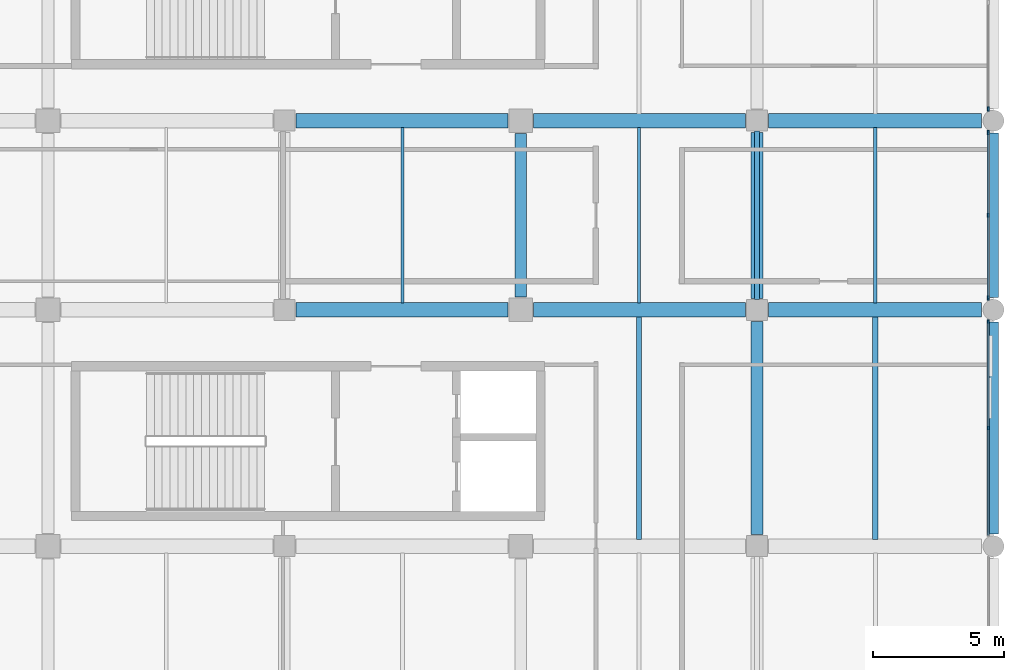
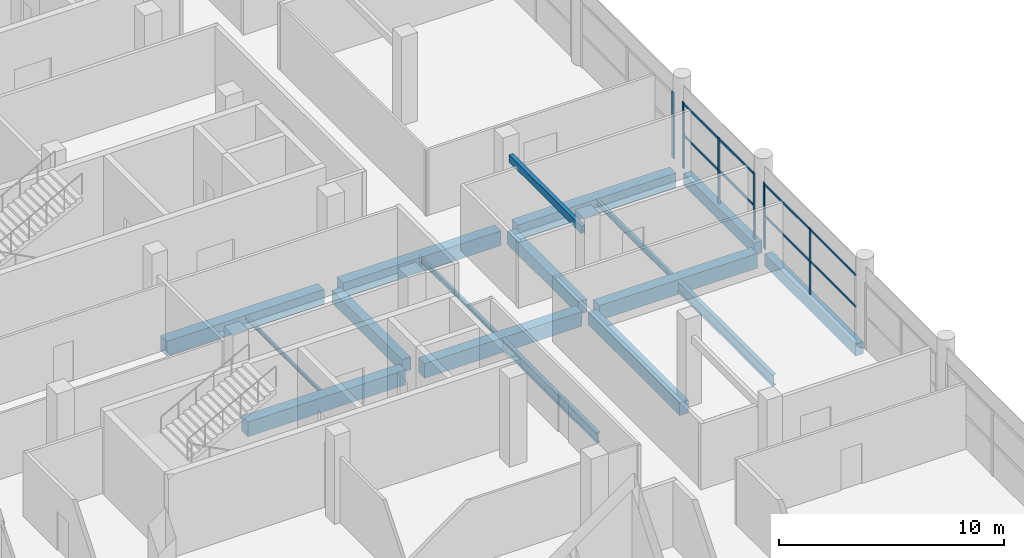
# One storey, part 38 of 111: 16 beams, 11 members, 3 elements without a shape of their own.
"""IFC4 building model written with IfcOpenShell, lengths in metres."""

from ifc_helpers import new_model, si_unit, direction, frame, origin, origin_2d, place, context, subcontext, project, spatial, rectangle, hollow_rectangle, i_section, extrude, material, material_profile, profile_set, type_object, element, aggregate, save


model = new_model("IFC4")

# Units and contexts
model_context = context("Model", 3, precision=1e-05, world=origin(), true_north=direction((0.0, 1.0)))
body_context = subcontext(model_context, "Body", "Model", "MODEL_VIEW")
ifc_project = project(units=[si_unit("LENGTHUNIT", "METRE"), si_unit("AREAUNIT", "SQUARE_METRE"), si_unit("VOLUMEUNIT", "CUBIC_METRE"), si_unit("PLANEANGLEUNIT", "RADIAN"), si_unit("MASSUNIT", "GRAM", prefix="KILO"), si_unit("THERMODYNAMICTEMPERATUREUNIT", "KELVIN"), si_unit("POWERUNIT", "WATT")], contexts=[model_context])

# Site, building, storey
site_placement = place(None, origin())
site = spatial("IfcSite", under=ifc_project, at=site_placement, CompositionType="ELEMENT")
building_placement = place(site_placement, origin())
building = spatial("IfcBuilding", under=site, at=building_placement, Name="Sindhuravela Promenade Stadium", CompositionType="ELEMENT")
storey_placement = place(building_placement, frame((0.0, 0.0, 9.60009765625)))
storey = spatial("IfcBuildingStorey", under=building, at=storey_placement, Name="L02", CompositionType="ELEMENT", Elevation=9.60009765625)

# Curtain wall, member
ifc_material_1 = material(Name="Anodised architectural aluminium 6063-T6", Category="aluminium")
curtain_wall_type_1 = type_object("IfcCurtainWallType", Name="CW-MOD-7", PredefinedType="NOTDEFINED", material=ifc_material_1)
curtain_wall_1_placement = place(storey_placement, origin())
curtain_wall_1 = element("IfcCurtainWall", 1, at=curtain_wall_1_placement, inside=storey, type_object=curtain_wall_type_1, Name="Bronze curtain wall CW-EAST-L02-110", PredefinedType="NOTDEFINED")
ifc_material_profile_1 = material_profile(ifc_material_1, rectangle(XDim=0.06005859375, YDim=0.179931640625, at=origin_2d()), Name="ALU M60x180")
ifc_profile_set_1 = profile_set([ifc_material_profile_1], Name="Anodised architectural aluminium 6063-T6")
member_type_1 = type_object("IfcMemberType", Name="CW-MUL-3", PredefinedType="MULLION", material=ifc_profile_set_1)
member_1_placement = place(storey_placement, frame((215.800048828125, 85.050048828125, 0.0), z_axis=(0.0, 0.0, 1.0), x_axis=(1.0, 0.0, 0.0)))
member_1 = element("IfcMember", 2, at=member_1_placement, type_object=member_type_1, Name="Curtain wall mullion CW-EAST-L02-110-M3", PredefinedType="MULLION", context=body_context, shape_type="SweptSolid", body=[
    extrude(rectangle(XDim=0.06005859375, YDim=0.179931640625, at=origin_2d()), origin(), (0.0, 0.0, 1.0), 3.579833984375),
])
aggregate(curtain_wall_1, [member_1])

# Curtain wall, members
curtain_wall_type_2 = type_object("IfcCurtainWallType", Name="CW-MOD-8", PredefinedType="NOTDEFINED", material=ifc_material_1)
curtain_wall_2_placement = place(storey_placement, origin())
curtain_wall_2 = element("IfcCurtainWall", 3, at=curtain_wall_2_placement, inside=storey, type_object=curtain_wall_type_2, Name="Bronze curtain wall CW-EAST-L02-111", PredefinedType="NOTDEFINED")
ifc_material_profile_2 = material_profile(ifc_material_1, rectangle(XDim=0.06005859375, YDim=0.159912109375, at=origin_2d()), Name="ALU M60x160")
ifc_profile_set_2 = profile_set([ifc_material_profile_2], Name="Anodised architectural aluminium 6063-T6")
member_type_2 = type_object("IfcMemberType", Name="CW-MUL-4", PredefinedType="MULLION", material=ifc_profile_set_2)
member_2_placement = place(storey_placement, frame((215.800048828125, 84.14990234375, 0.0), z_axis=(0.0, 0.0, 1.0), x_axis=(1.0, 0.0, 0.0)))
member_2 = element("IfcMember", 4, at=member_2_placement, type_object=member_type_2, Name="Curtain wall mullion CW-EAST-L02-111-M1", PredefinedType="MULLION", context=body_context, shape_type="SweptSolid", body=[
    extrude(rectangle(XDim=0.06005859375, YDim=0.159912109375, at=origin_2d()), origin(), (0.0, 0.0, 1.0), 3.579833984375),
])
member_3_placement = place(storey_placement, frame((215.800048828125, 81.0, 0.0), z_axis=(0.0, 0.0, 1.0), x_axis=(1.0, 0.0, 0.0)))
member_3 = element("IfcMember", 5, at=member_3_placement, type_object=member_type_2, Name="Curtain wall mullion CW-EAST-L02-111-M2", PredefinedType="MULLION", context=body_context, shape_type="SweptSolid", body=[
    extrude(rectangle(XDim=0.06005859375, YDim=0.159912109375, at=origin_2d()), origin(), (0.0, 0.0, 1.0), 3.579833984375),
])
member_4_placement = place(storey_placement, frame((215.800048828125, 77.85009765625, 0.0), z_axis=(0.0, 0.0, 1.0), x_axis=(1.0, 0.0, 0.0)))
member_4 = element("IfcMember", 6, at=member_4_placement, type_object=member_type_2, Name="Curtain wall mullion CW-EAST-L02-111-M3", PredefinedType="MULLION", context=body_context, shape_type="SweptSolid", body=[
    extrude(rectangle(XDim=0.06005859375, YDim=0.159912109375, at=origin_2d()), origin(), (0.0, 0.0, 1.0), 3.579833984375),
])

curtain_wall_type_3 = type_object("IfcCurtainWallType", Name="CW-MOD-1", PredefinedType="NOTDEFINED", material=ifc_material_1)
curtain_wall_3_placement = place(storey_placement, origin())
curtain_wall_3 = element("IfcCurtainWall", 7, at=curtain_wall_3_placement, inside=storey, type_object=curtain_wall_type_3, Name="Bronze curtain wall CW-EAST-L02-112", PredefinedType="NOTDEFINED")
ifc_material_profile_3 = material_profile(ifc_material_1, rectangle(XDim=0.06005859375, YDim=0.139892578125, at=origin_2d()), Name="ALU M60x140")
ifc_profile_set_3 = profile_set([ifc_material_profile_3], Name="Anodised architectural aluminium 6063-T6")
member_type_3 = type_object("IfcMemberType", Name="CW-MUL-5", PredefinedType="MULLION", material=ifc_profile_set_3)
member_5_placement = place(storey_placement, frame((215.800048828125, 76.949951171875, 0.0), z_axis=(0.0, 0.0, 1.0), x_axis=(1.0, 0.0, 0.0)))
member_5 = element("IfcMember", 8, at=member_5_placement, type_object=member_type_3, Name="Curtain wall mullion CW-EAST-L02-112-M1", PredefinedType="MULLION", context=body_context, shape_type="SweptSolid", body=[
    extrude(rectangle(XDim=0.06005859375, YDim=0.139892578125, at=origin_2d()), origin(), (0.0, 0.0, 1.0), 3.579833984375),
])
member_6_placement = place(storey_placement, frame((215.800048828125, 72.89990234375, 0.0), z_axis=(0.0, 0.0, 1.0), x_axis=(1.0, 0.0, 0.0)))
member_6 = element("IfcMember", 9, at=member_6_placement, type_object=member_type_3, Name="Curtain wall mullion CW-EAST-L02-112-M2", PredefinedType="MULLION", context=body_context, shape_type="SweptSolid", body=[
    extrude(rectangle(XDim=0.06005859375, YDim=0.139892578125, at=origin_2d()), origin(), (0.0, 0.0, 1.0), 3.579833984375),
])

# Member
ifc_material_profile_4 = material_profile(ifc_material_1, rectangle(XDim=0.06005859375, YDim=0.1201171875, at=origin_2d()), Name="ALU T60x120")
ifc_profile_set_4 = profile_set([ifc_material_profile_4], Name="Anodised architectural aluminium 6063-T6")
member_type_4 = type_object("IfcMemberType", Name="CW-TRN-4", PredefinedType="USERDEFINED", material=ifc_profile_set_4)
member_7_placement = place(storey_placement, frame((215.800048828125, 84.175048828125, 1.789794921875), z_axis=(0.0, -1.0, 0.0), x_axis=(1.0, 0.0, 0.0)))
member_7 = element("IfcMember", 10, at=member_7_placement, type_object=member_type_4, Name="Curtain wall transom CW-EAST-L02-111-T1", ObjectType="TRANSOM", PredefinedType="USERDEFINED", context=body_context, shape_type="SweptSolid", body=[
    extrude(rectangle(XDim=0.06005859375, YDim=0.1201171875, at=origin_2d()), origin(), (0.0, 0.0, 1.0), 6.35009765625),
])

member_8_placement = place(storey_placement, frame((215.800048828125, 84.175048828125, 3.5), z_axis=(0.0, -1.0, 0.0), x_axis=(1.0, 0.0, 0.0)))
member_8 = element("IfcMember", 11, at=member_8_placement, type_object=member_type_4, Name="Curtain wall transom CW-EAST-L02-111-T2", ObjectType="TRANSOM", PredefinedType="USERDEFINED", context=body_context, shape_type="SweptSolid", body=[
    extrude(rectangle(XDim=0.06005859375, YDim=0.1201171875, at=origin_2d()), origin(), (0.0, 0.0, 1.0), 6.35009765625),
])

aggregate(curtain_wall_2, [member_2, member_3, member_4, member_7, member_8])

ifc_material_profile_5 = material_profile(ifc_material_1, rectangle(XDim=0.06005859375, YDim=0.110107421875, at=origin_2d()), Name="ALU T60x110")
ifc_profile_set_5 = profile_set([ifc_material_profile_5], Name="Anodised architectural aluminium 6063-T6")
member_type_5 = type_object("IfcMemberType", Name="CW-TRN-5", PredefinedType="USERDEFINED", material=ifc_profile_set_5)
member_9_placement = place(storey_placement, frame((215.800048828125, 76.97509765625, 1.789794921875), z_axis=(0.0, -1.0, 0.0), x_axis=(1.0, 0.0, 0.0)))
member_9 = element("IfcMember", 12, at=member_9_placement, type_object=member_type_5, Name="Curtain wall transom CW-EAST-L02-112-T1", ObjectType="TRANSOM", PredefinedType="USERDEFINED", context=body_context, shape_type="SweptSolid", body=[
    extrude(rectangle(XDim=0.06005859375, YDim=0.110107421875, at=origin_2d()), origin(), (0.0, 0.0, 1.0), 8.150146484375),
])

member_10_placement = place(storey_placement, frame((215.800048828125, 76.97509765625, 3.5), z_axis=(0.0, -1.0, 0.0), x_axis=(1.0, 0.0, 0.0)))
member_10 = element("IfcMember", 13, at=member_10_placement, type_object=member_type_5, Name="Curtain wall transom CW-EAST-L02-112-T2", ObjectType="TRANSOM", PredefinedType="USERDEFINED", context=body_context, shape_type="SweptSolid", body=[
    extrude(rectangle(XDim=0.06005859375, YDim=0.110107421875, at=origin_2d()), origin(), (0.0, 0.0, 1.0), 8.150146484375),
])

aggregate(curtain_wall_3, [member_5, member_6, member_9, member_10])

# Beams
ifc_material_2 = material(Name="Concrete M40", Category="concrete")
ifc_material_profile_6 = material_profile(ifc_material_2, rectangle(XDim=0.39990234375, YDim=0.64990234375, at=origin_2d()), Name="RC 400x650")
ifc_profile_set_6 = profile_set([ifc_material_profile_6], Name="Concrete M40")
beam_type_1 = type_object("IfcBeamType", Name="RC-BM-400x650", PredefinedType="SPANDREL", material=ifc_profile_set_6)
beam_1_placement = place(storey_placement, frame((216.0, 68.864990234375, -0.60498046875), z_axis=(0.0, 1.0, 0.0), x_axis=(-1.0, 0.0, 0.0)))
element("IfcBeam", 14, at=beam_1_placement, inside=storey, type_object=beam_type_1, Name="Primary beam SP01 EAST L02", PredefinedType="SPANDREL", context=body_context, shape_type="SweptSolid", body=[
    extrude(rectangle(XDim=0.39990234375, YDim=0.64990234375, at=origin_2d()), origin(), (0.0, 0.0, 1.0), 8.070068359375),
])
beam_2_placement = place(storey_placement, frame((216.0, 77.864990234375, -0.60498046875), z_axis=(0.0, 1.0, 0.0), x_axis=(-1.0, 0.0, 0.0)))
element("IfcBeam", 15, at=beam_2_placement, inside=storey, type_object=beam_type_1, Name="Primary beam SP01 EAST L02", PredefinedType="SPANDREL", context=body_context, shape_type="SweptSolid", body=[
    extrude(rectangle(XDim=0.39990234375, YDim=0.64990234375, at=origin_2d()), origin(), (0.0, 0.0, 1.0), 6.27001953125),
])
ifc_material_profile_7 = material_profile(ifc_material_2, rectangle(XDim=0.449951171875, YDim=0.699951171875, at=origin_2d()), Name="RC 450x700")
ifc_profile_set_7 = profile_set([ifc_material_profile_7], Name="Concrete M40")
beam_type_2 = type_object("IfcBeamType", Name="RC-BM-450x700", PredefinedType="BEAM", material=ifc_profile_set_7)
beam_3_placement = place(storey_placement, frame((198.0, 77.889892578125, -0.630126953125), z_axis=(0.0, 1.0, 0.0), x_axis=(-1.0, 0.0, 0.0)))
element("IfcBeam", 16, at=beam_3_placement, inside=storey, type_object=beam_type_2, Name="Primary beam GB07 EAST L02", PredefinedType="BEAM", context=body_context, shape_type="SweptSolid", body=[
    extrude(rectangle(XDim=0.449951171875, YDim=0.699951171875, at=origin_2d()), origin(), (0.0, 0.0, 1.0), 6.22021484375),
])
beam_4_placement = place(storey_placement, frame((207.0, 68.840087890625, -0.630126953125), z_axis=(0.0, 1.0, 0.0), x_axis=(-1.0, 0.0, 0.0)))
element("IfcBeam", 17, at=beam_4_placement, inside=storey, type_object=beam_type_2, Name="Primary beam GB07 EAST L02", PredefinedType="BEAM", context=body_context, shape_type="SweptSolid", body=[
    extrude(rectangle(XDim=0.449951171875, YDim=0.699951171875, at=origin_2d()), origin(), (0.0, 0.0, 1.0), 8.119873046875),
])
beam_5_placement = place(storey_placement, frame((207.0, 77.840087890625, -0.630126953125), z_axis=(0.0, 1.0, 0.0), x_axis=(-1.0, 0.0, 0.0)))
element("IfcBeam", 18, at=beam_5_placement, inside=storey, type_object=beam_type_2, Name="Primary beam GB07 EAST L02", PredefinedType="BEAM", context=body_context, shape_type="SweptSolid", body=[
    extrude(rectangle(XDim=0.449951171875, YDim=0.699951171875, at=origin_2d()), origin(), (0.0, 0.0, 1.0), 6.31982421875),
])
ifc_material_profile_8 = material_profile(ifc_material_2, rectangle(XDim=0.550048828125, YDim=0.800048828125, at=origin_2d()), Name="RC 550x800")
ifc_profile_set_8 = profile_set([ifc_material_profile_8], Name="Concrete M40")
beam_type_3 = type_object("IfcBeamType", Name="RC-BM-550x800", PredefinedType="BEAM", material=ifc_profile_set_8)
for number, where, z_axis, x_axis, name in (
    (19, (189.43994140625, 77.39990234375, -0.68017578125), (1.0, 0.0, 0.0), (0.0, 1.0, 0.0), "Primary girder GB05 EAST L02"),
    (20, (198.489990234375, 77.39990234375, -0.68017578125), (1.0, 0.0, 0.0), (0.0, 1.0, 0.0), "Primary girder GB05 EAST L02"),
):
    element("IfcBeam", number, at=place(storey_placement, frame(where, z_axis=z_axis, x_axis=x_axis)), inside=storey, type_object=beam_type_3, Name=name, PredefinedType="BEAM", context=body_context, shape_type="SweptSolid", body=[
        extrude(rectangle(XDim=0.550048828125, YDim=0.800048828125, at=origin_2d()), origin(), (0.0, 0.0, 1.0), 8.070068359375),
    ])
beam_6_placement = place(storey_placement, frame((207.43994140625, 77.39990234375, -0.68017578125), z_axis=(1.0, 0.0, 0.0), x_axis=(0.0, 1.0, 0.0)))
element("IfcBeam", 21, at=beam_6_placement, inside=storey, type_object=beam_type_3, Name="Primary girder GB05 EAST L02", PredefinedType="BEAM", context=body_context, shape_type="SweptSolid", body=[
    extrude(rectangle(XDim=0.550048828125, YDim=0.800048828125, at=origin_2d()), origin(), (0.0, 0.0, 1.0), 8.094970703125),
])
for number, where, z_axis, x_axis, name in (
    (22, (189.43994140625, 84.60009765625, -0.68017578125), (1.0, 0.0, 0.0), (0.0, 1.0, 0.0), "Primary girder GB05 EAST L02"),
    (23, (198.489990234375, 84.60009765625, -0.68017578125), (1.0, 0.0, 0.0), (0.0, 1.0, 0.0), "Primary girder GB05 EAST L02"),
):
    element("IfcBeam", number, at=place(storey_placement, frame(where, z_axis=z_axis, x_axis=x_axis)), inside=storey, type_object=beam_type_3, Name=name, PredefinedType="BEAM", context=body_context, shape_type="SweptSolid", body=[
        extrude(rectangle(XDim=0.550048828125, YDim=0.800048828125, at=origin_2d()), origin(), (0.0, 0.0, 1.0), 8.070068359375),
    ])
beam_7_placement = place(storey_placement, frame((207.43994140625, 84.60009765625, -0.68017578125), z_axis=(1.0, 0.0, 0.0), x_axis=(0.0, 1.0, 0.0)))
element("IfcBeam", 24, at=beam_7_placement, inside=storey, type_object=beam_type_3, Name="Primary girder GB05 EAST L02", PredefinedType="BEAM", context=body_context, shape_type="SweptSolid", body=[
    extrude(rectangle(XDim=0.550048828125, YDim=0.800048828125, at=origin_2d()), origin(), (0.0, 0.0, 1.0), 8.094970703125),
])
ifc_material_3 = material(Name="Steel E350 (IS 2062 E350BR)", Category="steel")
ifc_material_profile_9 = material_profile(ifc_material_3, i_section(OverallWidth=0.10009765625, OverallDepth=0.199951171875, WebThickness=0.005615234375, FlangeThickness=0.0107421875, FilletRadius=0.010986328125, at=origin_2d()), Name="ISMB 200")
ifc_profile_set_9 = profile_set([ifc_material_profile_9], Name="Steel E350 (IS 2062 E350BR)")
beam_type_4 = type_object("IfcBeamType", Name="ST-BM-MB200", PredefinedType="JOIST", material=ifc_profile_set_9)
beam_8_placement = place(storey_placement, frame((193.5, 77.6650390625, -0.380126953125), z_axis=(0.0, 1.0, 0.0), x_axis=(-1.0, 0.0, 0.0)))
element("IfcBeam", 25, at=beam_8_placement, inside=storey, type_object=beam_type_4, Name="Secondary floor joist SB01 EAST L02", PredefinedType="JOIST", context=body_context, shape_type="SweptSolid", body=[
    extrude(i_section(OverallWidth=0.10009765625, OverallDepth=0.199951171875, WebThickness=0.005615234375, FlangeThickness=0.0107421875, FilletRadius=0.010986328125, at=origin_2d()), origin(), (0.0, 0.0, 1.0), 6.669921875),
])
ifc_material_profile_10 = material_profile(ifc_material_3, i_section(OverallWidth=0.125, OverallDepth=0.25, WebThickness=0.0068359375, FlangeThickness=0.012451171875, FilletRadius=0.012939453125, at=origin_2d()), Name="ISMB 250")
ifc_profile_set_10 = profile_set([ifc_material_profile_10], Name="Steel E350 (IS 2062 E350BR)")
beam_type_5 = type_object("IfcBeamType", Name="ST-BM-MB250", PredefinedType="JOIST", material=ifc_profile_set_10)
beam_9_placement = place(storey_placement, frame((202.5, 77.6650390625, -0.405029296875), z_axis=(0.0, 1.0, 0.0), x_axis=(-1.0, 0.0, 0.0)))
element("IfcBeam", 26, at=beam_9_placement, inside=storey, type_object=beam_type_5, Name="Secondary floor joist SB02 EAST L02", PredefinedType="JOIST", context=body_context, shape_type="SweptSolid", body=[
    extrude(i_section(OverallWidth=0.125, OverallDepth=0.25, WebThickness=0.0068359375, FlangeThickness=0.012451171875, FilletRadius=0.012939453125, at=origin_2d()), origin(), (0.0, 0.0, 1.0), 6.669921875),
])
ifc_material_profile_11 = material_profile(ifc_material_3, i_section(OverallWidth=0.139892578125, OverallDepth=0.300048828125, WebThickness=0.0078125, FlangeThickness=0.01318359375, FilletRadius=0.013916015625, at=origin_2d()), Name="ISMB 300")
ifc_profile_set_11 = profile_set([ifc_material_profile_11], Name="Steel E350 (IS 2062 E350BR)")
beam_type_6 = type_object("IfcBeamType", Name="ST-BM-MB300", PredefinedType="JOIST", material=ifc_profile_set_11)
beam_10_placement = place(storey_placement, frame((211.5, 77.6650390625, -0.43017578125), z_axis=(0.0, 1.0, 0.0), x_axis=(-1.0, 0.0, 0.0)))
element("IfcBeam", 27, at=beam_10_placement, inside=storey, type_object=beam_type_6, Name="Secondary floor joist SB03 EAST L02", PredefinedType="JOIST", context=body_context, shape_type="SweptSolid", body=[
    extrude(i_section(OverallWidth=0.139892578125, OverallDepth=0.300048828125, WebThickness=0.0078125, FlangeThickness=0.01318359375, FilletRadius=0.013916015625, at=origin_2d()), origin(), (0.0, 0.0, 1.0), 6.669921875),
])
ifc_material_profile_12 = material_profile(ifc_material_3, i_section(OverallWidth=0.18994140625, OverallDepth=0.550048828125, WebThickness=0.01123046875, FlangeThickness=0.019287109375, FilletRadius=0.01806640625, at=origin_2d()), Name="ISMB 550")
ifc_profile_set_12 = profile_set([ifc_material_profile_12], Name="Steel E350 (IS 2062 E350BR)")
beam_type_7 = type_object("IfcBeamType", Name="ST-BM-MB550", PredefinedType="SPANDREL", material=ifc_profile_set_12)
beam_11_placement = place(storey_placement, frame((202.5, 68.6650390625, -0.55517578125), z_axis=(0.0, 1.0, 0.0), x_axis=(-1.0, 0.0, 0.0)))
element("IfcBeam", 28, at=beam_11_placement, inside=storey, type_object=beam_type_7, Name="Secondary floor joist SB08 EAST L02", PredefinedType="SPANDREL", context=body_context, shape_type="SweptSolid", body=[
    extrude(i_section(OverallWidth=0.18994140625, OverallDepth=0.550048828125, WebThickness=0.01123046875, FlangeThickness=0.019287109375, FilletRadius=0.01806640625, at=origin_2d()), origin(), (0.0, 0.0, 1.0), 8.469970703125),
])
ifc_material_profile_13 = material_profile(ifc_material_3, i_section(OverallWidth=0.2099609375, OverallDepth=0.60009765625, WebThickness=0.011962890625, FlangeThickness=0.020751953125, FilletRadius=0.02001953125, at=origin_2d()), Name="ISMB 600")
ifc_profile_set_13 = profile_set([ifc_material_profile_13], Name="Steel E350 (IS 2062 E350BR)")
beam_type_8 = type_object("IfcBeamType", Name="ST-BM-MB600", PredefinedType="BEAM", material=ifc_profile_set_13)
beam_12_placement = place(storey_placement, frame((211.5, 68.6650390625, -0.580078125), z_axis=(0.0, 1.0, 0.0), x_axis=(-1.0, 0.0, 0.0)))
element("IfcBeam", 29, at=beam_12_placement, inside=storey, type_object=beam_type_8, Name="Secondary floor joist SB09 EAST L02", PredefinedType="BEAM", context=body_context, shape_type="SweptSolid", body=[
    extrude(i_section(OverallWidth=0.2099609375, OverallDepth=0.60009765625, WebThickness=0.011962890625, FlangeThickness=0.020751953125, FilletRadius=0.02001953125, at=origin_2d()), origin(), (0.0, 0.0, 1.0), 8.469970703125),
])

# Member
ifc_material_profile_14 = material_profile(ifc_material_3, hollow_rectangle(XDim=0.199951171875, YDim=0.39990234375, WallThickness=0.011962890625, at=origin_2d()), Name="RHS 400x200x12")
ifc_profile_set_14 = profile_set([ifc_material_profile_14], Name="Steel E350 (IS 2062 E350BR)")
member_type_6 = type_object("IfcMemberType", Name="ST-MB-RHS400", PredefinedType="CHORD", material=ifc_profile_set_14)
member_11_placement = place(storey_placement, frame((207.0, 77.7919921875, 3.599853515625), z_axis=(0.0, 1.0, 0.0), x_axis=(-1.0, 0.0, 0.0)))
element("IfcMember", 30, at=member_11_placement, inside=storey, type_object=member_type_6, Name="Portal tie member MC03-21", PredefinedType="CHORD", context=body_context, shape_type="SweptSolid", body=[
    extrude(hollow_rectangle(XDim=0.199951171875, YDim=0.39990234375, WallThickness=0.011962890625, at=origin_2d()), origin(), (0.0, 0.0, 1.0), 6.416015625),
])

save(model, "model.ifc")
